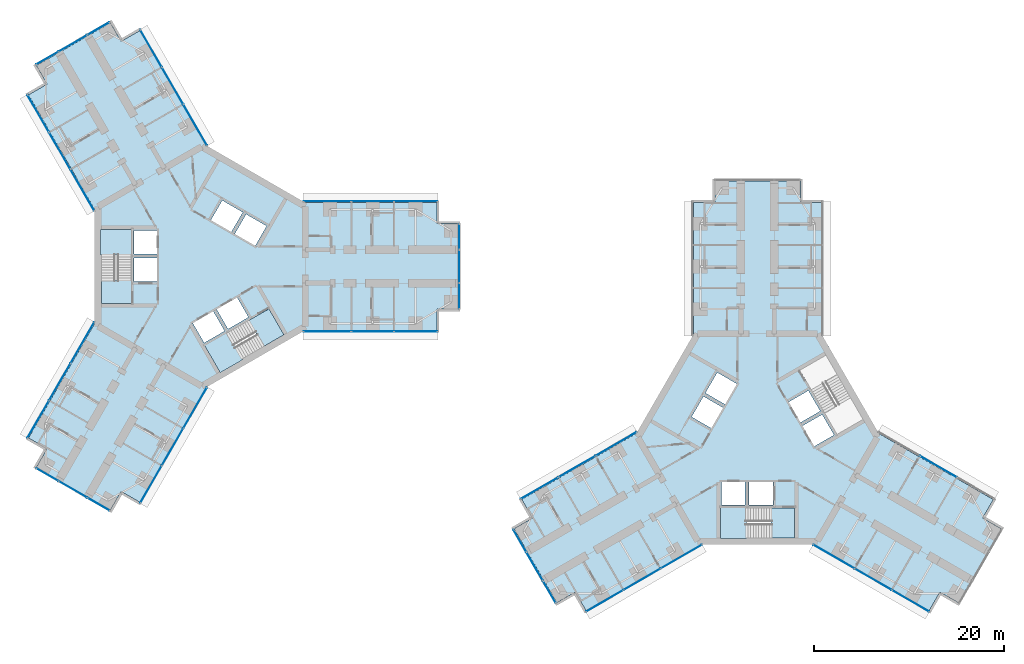
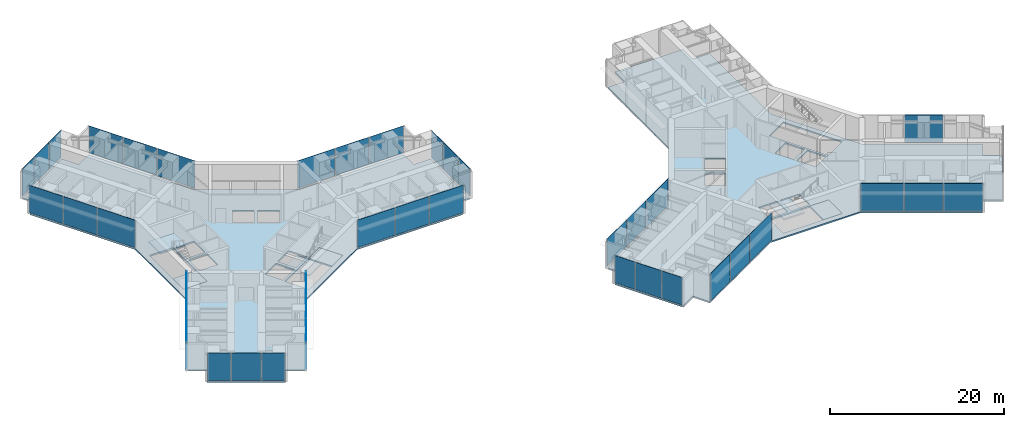
# One storey, part 14 of 24: 40 plates, 8 slabs, 17 elements without a shape of their own.
"""IFC4 building model written with IfcOpenShell, lengths in metres."""

from ifc_helpers import new_model, si_unit, direction, frame, origin, origin_2d, place, context, subcontext, project, spatial, polyline, rectangle, outline, extrude, material, layer, layer_set, type_object, element, aggregate, save


model = new_model("IFC4")

# Units and contexts
model_context = context("Model", 3, precision=1e-05, world=origin(), true_north=direction((0.0, 1.0)))
body_context = subcontext(model_context, "Body", "Model", "MODEL_VIEW")
ifc_project = project(units=[si_unit("LENGTHUNIT", "METRE"), si_unit("AREAUNIT", "SQUARE_METRE"), si_unit("VOLUMEUNIT", "CUBIC_METRE"), si_unit("PLANEANGLEUNIT", "RADIAN"), si_unit("MASSUNIT", "GRAM", prefix="KILO")], contexts=[model_context])

# Site, building, storey
site_placement = place(None, origin())
site = spatial("IfcSite", under=ifc_project, at=site_placement, CompositionType="ELEMENT")
building_placement = place(site_placement, origin())
building = spatial("IfcBuilding", under=site, at=building_placement, Name="Upepo Twin Towers", CompositionType="ELEMENT")
storey_placement = place(building_placement, frame((0.0, 0.0, 60.5)))
storey = spatial("IfcBuildingStorey", under=building, at=storey_placement, Name="L14", CompositionType="ELEMENT", Elevation=60.5)

# Curtain wall, plates
ifc_material_1 = material(Name="Aluminium and fritted glass", Category="aluminium")
curtain_wall_type = type_object("IfcCurtainWallType", Name="Tower curtain wall TW1, fritted glass", PredefinedType="NOTDEFINED", material=ifc_material_1)
curtain_wall_1_placement = place(storey_placement, origin())
curtain_wall_1 = element("IfcCurtainWall", 1, at=curtain_wall_1_placement, inside=storey, type_object=curtain_wall_type, Name="T1 L14 wing A flank L curtain wall", PredefinedType="NOTDEFINED")
ifc_material_2 = material(Name="Ceramic-fritted laminated glass", Category="glass")
ifc_layer_1 = layer(ifc_material_2, 0.031982421875)
ifc_layer_set_1 = layer_set([ifc_layer_1], Name="Fritted glass panel, 25 per cent dot frit, 32 mm double glazed")
plate_type_1 = type_object("IfcPlateType", Name="Fritted glass panel, 25 per cent dot frit, 32 mm double glazed", PredefinedType="CURTAIN_PANEL", material=ifc_layer_set_1)
plate_1_placement = place(storey_placement, frame((13.23486328125, 6.85009765625, 0.14990234375), z_axis=(0.0, 0.0, 1.0), x_axis=(1.0, 0.0, 0.0)))
plate_1 = element("IfcPlate", 2, at=plate_1_placement, type_object=plate_type_1, Name="T1 L14 wing A flank L curtain wall panel 1", PredefinedType="CURTAIN_PANEL", context=body_context, shape_type="SweptSolid", body=[
    extrude(rectangle(XDim=4.96533203125, YDim=0.031982421875, at=origin_2d()), origin(), (0.0, 0.0, 1.0), 3.85009765625),
])
plate_2_placement = place(storey_placement, frame((18.0, 6.85009765625, 0.14990234375), z_axis=(0.0, 0.0, 1.0), x_axis=(1.0, 0.0, 0.0)))
plate_2 = element("IfcPlate", 3, at=plate_2_placement, type_object=plate_type_1, Name="T1 L14 wing A flank L curtain wall panel 2", PredefinedType="CURTAIN_PANEL", context=body_context, shape_type="SweptSolid", body=[
    extrude(rectangle(XDim=4.43505859375, YDim=0.031982421875, at=origin_2d()), origin(), (0.0, 0.0, 1.0), 3.85009765625),
])
plate_3_placement = place(storey_placement, frame((22.53369140625, 6.85009765625, 0.14990234375), z_axis=(0.0, 0.0, 1.0), x_axis=(1.0, 0.0, 0.0)))
plate_3 = element("IfcPlate", 4, at=plate_3_placement, type_object=plate_type_1, Name="T1 L14 wing A flank L curtain wall panel 3", PredefinedType="CURTAIN_PANEL", context=body_context, shape_type="SweptSolid", body=[
    extrude(rectangle(XDim=4.50244140625, YDim=0.031982421875, at=origin_2d()), origin(), (0.0, 0.0, 1.0), 3.85009765625),
])
aggregate(curtain_wall_1, [plate_1, plate_2, plate_3])

curtain_wall_2_placement = place(storey_placement, origin())
curtain_wall_2 = element("IfcCurtainWall", 5, at=curtain_wall_2_placement, inside=storey, type_object=curtain_wall_type, Name="T1 L14 wing A flank R curtain wall", PredefinedType="NOTDEFINED")
plate_4_placement = place(storey_placement, frame((22.53369140625, -6.85009765625, 0.14990234375), z_axis=(0.0, 0.0, 1.0), x_axis=(-1.0, 0.0, 0.0)))
plate_4 = element("IfcPlate", 6, at=plate_4_placement, type_object=plate_type_1, Name="T1 L14 wing A flank R curtain wall panel 1", PredefinedType="CURTAIN_PANEL", context=body_context, shape_type="SweptSolid", body=[
    extrude(rectangle(XDim=4.50244140625, YDim=0.031982421875, at=origin_2d()), origin(), (0.0, 0.0, 1.0), 3.85009765625),
])
plate_5_placement = place(storey_placement, frame((18.0, -6.85009765625, 0.14990234375), z_axis=(0.0, 0.0, 1.0), x_axis=(-1.0, 0.0, 0.0)))
plate_5 = element("IfcPlate", 7, at=plate_5_placement, type_object=plate_type_1, Name="T1 L14 wing A flank R curtain wall panel 2", PredefinedType="CURTAIN_PANEL", context=body_context, shape_type="SweptSolid", body=[
    extrude(rectangle(XDim=4.43505859375, YDim=0.031982421875, at=origin_2d()), origin(), (0.0, 0.0, 1.0), 3.85009765625),
])
plate_6_placement = place(storey_placement, frame((13.23486328125, -6.85009765625, 0.14990234375), z_axis=(0.0, 0.0, 1.0), x_axis=(-1.0, 0.0, 0.0)))
plate_6 = element("IfcPlate", 8, at=plate_6_placement, type_object=plate_type_1, Name="T1 L14 wing A flank R curtain wall panel 3", PredefinedType="CURTAIN_PANEL", context=body_context, shape_type="SweptSolid", body=[
    extrude(rectangle(XDim=4.96533203125, YDim=0.031982421875, at=origin_2d()), origin(), (0.0, 0.0, 1.0), 3.85009765625),
])
aggregate(curtain_wall_2, [plate_4, plate_5, plate_6])

# Curtain wall, plate
curtain_wall_3_placement = place(storey_placement, origin())
curtain_wall_3 = element("IfcCurtainWall", 9, at=curtain_wall_3_placement, inside=storey, type_object=curtain_wall_type, Name="T1 L14 wing A nose curtain wall", PredefinedType="NOTDEFINED")
plate_7_placement = place(storey_placement, frame((27.10009765625, 0.0, 0.14990234375), z_axis=(0.0, 0.0, 1.0), x_axis=(0.0, 1.0, 0.0)))
plate_7 = element("IfcPlate", 10, at=plate_7_placement, type_object=plate_type_1, Name="T1 L14 wing A nose curtain wall panel 2", PredefinedType="CURTAIN_PANEL", context=body_context, shape_type="SweptSolid", body=[
    extrude(rectangle(XDim=3.43505859375, YDim=0.031982421875, at=origin_2d()), origin(), (0.0, 0.0, 1.0), 3.85009765625),
])

# Curtain wall, plates
curtain_wall_4_placement = place(storey_placement, origin())
curtain_wall_4 = element("IfcCurtainWall", 11, at=curtain_wall_4_placement, inside=storey, type_object=curtain_wall_type, Name="T1 L14 wing B flank L curtain wall", PredefinedType="NOTDEFINED")
plate_8_placement = place(storey_placement, frame((-12.549560546875, 8.03662109375, 0.14990234375), z_axis=(0.0, 0.0, 1.0), x_axis=(-0.500000024426, 0.866025389682, 0.0)))
plate_8 = element("IfcPlate", 12, at=plate_8_placement, type_object=plate_type_1, Name="T1 L14 wing B flank L curtain wall panel 1", PredefinedType="CURTAIN_PANEL", context=body_context, shape_type="SweptSolid", body=[
    extrude(rectangle(XDim=4.96533203125, YDim=0.031982421875, at=origin_2d()), origin(), (0.0, 0.0, 1.0), 3.85009765625),
])
plate_9_placement = place(storey_placement, frame((-14.932373046875, 12.16357421875, 0.14990234375), z_axis=(0.0, 0.0, 1.0), x_axis=(-0.500000024426, 0.866025389682, 0.0)))
plate_9 = element("IfcPlate", 13, at=plate_9_placement, type_object=plate_type_1, Name="T1 L14 wing B flank L curtain wall panel 2", PredefinedType="CURTAIN_PANEL", context=body_context, shape_type="SweptSolid", body=[
    extrude(rectangle(XDim=4.43505859375, YDim=0.031982421875, at=origin_2d()), origin(), (0.0, 0.0, 1.0), 3.85009765625),
])
plate_10_placement = place(storey_placement, frame((-17.19921875, 16.08984375, 0.14990234375), z_axis=(0.0, 0.0, 1.0), x_axis=(-0.500000024426, 0.866025389682, 0.0)))
plate_10 = element("IfcPlate", 14, at=plate_10_placement, type_object=plate_type_1, Name="T1 L14 wing B flank L curtain wall panel 3", PredefinedType="CURTAIN_PANEL", context=body_context, shape_type="SweptSolid", body=[
    extrude(rectangle(XDim=4.50244140625, YDim=0.031982421875, at=origin_2d()), origin(), (0.0, 0.0, 1.0), 3.85009765625),
])
aggregate(curtain_wall_4, [plate_8, plate_9, plate_10])

curtain_wall_5_placement = place(storey_placement, origin())
curtain_wall_5 = element("IfcCurtainWall", 15, at=curtain_wall_5_placement, inside=storey, type_object=curtain_wall_type, Name="T1 L14 wing B flank R curtain wall", PredefinedType="NOTDEFINED")
plate_11_placement = place(storey_placement, frame((-5.334716796875, 22.939697265625, 0.14990234375), z_axis=(0.0, 0.0, 1.0), x_axis=(0.500000024426, -0.866025389682, 0.0)))
plate_11 = element("IfcPlate", 16, at=plate_11_placement, type_object=plate_type_1, Name="T1 L14 wing B flank R curtain wall panel 1", PredefinedType="CURTAIN_PANEL", context=body_context, shape_type="SweptSolid", body=[
    extrude(rectangle(XDim=4.50244140625, YDim=0.031982421875, at=origin_2d()), origin(), (0.0, 0.0, 1.0), 3.85009765625),
])
plate_12_placement = place(storey_placement, frame((-3.067626953125, 19.013427734375, 0.14990234375), z_axis=(0.0, 0.0, 1.0), x_axis=(0.500000024426, -0.866025389682, 0.0)))
plate_12 = element("IfcPlate", 17, at=plate_12_placement, type_object=plate_type_1, Name="T1 L14 wing B flank R curtain wall panel 2", PredefinedType="CURTAIN_PANEL", context=body_context, shape_type="SweptSolid", body=[
    extrude(rectangle(XDim=4.43505859375, YDim=0.031982421875, at=origin_2d()), origin(), (0.0, 0.0, 1.0), 3.85009765625),
])
plate_13_placement = place(storey_placement, frame((-0.68505859375, 14.88671875, 0.14990234375), z_axis=(0.0, 0.0, 1.0), x_axis=(0.500000024426, -0.866025389682, 0.0)))
plate_13 = element("IfcPlate", 18, at=plate_13_placement, type_object=plate_type_1, Name="T1 L14 wing B flank R curtain wall panel 3", PredefinedType="CURTAIN_PANEL", context=body_context, shape_type="SweptSolid", body=[
    extrude(rectangle(XDim=4.96533203125, YDim=0.031982421875, at=origin_2d()), origin(), (0.0, 0.0, 1.0), 3.85009765625),
])
aggregate(curtain_wall_5, [plate_11, plate_12, plate_13])

# Curtain wall, plate
curtain_wall_6_placement = place(storey_placement, origin())
curtain_wall_6 = element("IfcCurtainWall", 19, at=curtain_wall_6_placement, inside=storey, type_object=curtain_wall_type, Name="T1 L14 wing B nose curtain wall", PredefinedType="NOTDEFINED")
plate_14_placement = place(storey_placement, frame((-13.550048828125, 23.46923828125, 0.14990234375), z_axis=(0.0, 0.0, 1.0), x_axis=(-0.866025386174, -0.500000030502, 0.0)))
plate_14 = element("IfcPlate", 20, at=plate_14_placement, type_object=plate_type_1, Name="T1 L14 wing B nose curtain wall panel 2", PredefinedType="CURTAIN_PANEL", context=body_context, shape_type="SweptSolid", body=[
    extrude(rectangle(XDim=3.43505859375, YDim=0.031982421875, at=origin_2d()), origin(), (0.0, 0.0, 1.0), 3.85009765625),
])

# Curtain wall, plates
curtain_wall_7_placement = place(storey_placement, origin())
curtain_wall_7 = element("IfcCurtainWall", 21, at=curtain_wall_7_placement, inside=storey, type_object=curtain_wall_type, Name="T1 L14 wing C flank L curtain wall", PredefinedType="NOTDEFINED")
plate_15_placement = place(storey_placement, frame((-0.68505859375, -14.88671875, 0.14990234375), z_axis=(0.0, 0.0, 1.0), x_axis=(-0.500000024426, -0.866025389682, 0.0)))
plate_15 = element("IfcPlate", 22, at=plate_15_placement, type_object=plate_type_1, Name="T1 L14 wing C flank L curtain wall panel 1", PredefinedType="CURTAIN_PANEL", context=body_context, shape_type="SweptSolid", body=[
    extrude(rectangle(XDim=4.96533203125, YDim=0.031982421875, at=origin_2d()), origin(), (0.0, 0.0, 1.0), 3.85009765625),
])
plate_16_placement = place(storey_placement, frame((-3.067626953125, -19.013427734375, 0.14990234375), z_axis=(0.0, 0.0, 1.0), x_axis=(-0.500000024426, -0.866025389682, 0.0)))
plate_16 = element("IfcPlate", 23, at=plate_16_placement, type_object=plate_type_1, Name="T1 L14 wing C flank L curtain wall panel 2", PredefinedType="CURTAIN_PANEL", context=body_context, shape_type="SweptSolid", body=[
    extrude(rectangle(XDim=4.43505859375, YDim=0.031982421875, at=origin_2d()), origin(), (0.0, 0.0, 1.0), 3.85009765625),
])
plate_17_placement = place(storey_placement, frame((-5.334716796875, -22.939697265625, 0.14990234375), z_axis=(0.0, 0.0, 1.0), x_axis=(-0.500000024426, -0.866025389682, 0.0)))
plate_17 = element("IfcPlate", 24, at=plate_17_placement, type_object=plate_type_1, Name="T1 L14 wing C flank L curtain wall panel 3", PredefinedType="CURTAIN_PANEL", context=body_context, shape_type="SweptSolid", body=[
    extrude(rectangle(XDim=4.50244140625, YDim=0.031982421875, at=origin_2d()), origin(), (0.0, 0.0, 1.0), 3.85009765625),
])
aggregate(curtain_wall_7, [plate_15, plate_16, plate_17])

curtain_wall_8_placement = place(storey_placement, origin())
curtain_wall_8 = element("IfcCurtainWall", 25, at=curtain_wall_8_placement, inside=storey, type_object=curtain_wall_type, Name="T1 L14 wing C flank R curtain wall", PredefinedType="NOTDEFINED")
plate_18_placement = place(storey_placement, frame((-17.19921875, -16.08984375, 0.14990234375), z_axis=(0.0, 0.0, 1.0), x_axis=(0.500000024426, 0.866025389682, 0.0)))
plate_18 = element("IfcPlate", 26, at=plate_18_placement, type_object=plate_type_1, Name="T1 L14 wing C flank R curtain wall panel 1", PredefinedType="CURTAIN_PANEL", context=body_context, shape_type="SweptSolid", body=[
    extrude(rectangle(XDim=4.50244140625, YDim=0.031982421875, at=origin_2d()), origin(), (0.0, 0.0, 1.0), 3.85009765625),
])
plate_19_placement = place(storey_placement, frame((-14.932373046875, -12.16357421875, 0.14990234375), z_axis=(0.0, 0.0, 1.0), x_axis=(0.500000024426, 0.866025389682, 0.0)))
plate_19 = element("IfcPlate", 27, at=plate_19_placement, type_object=plate_type_1, Name="T1 L14 wing C flank R curtain wall panel 2", PredefinedType="CURTAIN_PANEL", context=body_context, shape_type="SweptSolid", body=[
    extrude(rectangle(XDim=4.43505859375, YDim=0.031982421875, at=origin_2d()), origin(), (0.0, 0.0, 1.0), 3.85009765625),
])
plate_20_placement = place(storey_placement, frame((-12.549560546875, -8.03662109375, 0.14990234375), z_axis=(0.0, 0.0, 1.0), x_axis=(0.500000024426, 0.866025389682, 0.0)))
plate_20 = element("IfcPlate", 28, at=plate_20_placement, type_object=plate_type_1, Name="T1 L14 wing C flank R curtain wall panel 3", PredefinedType="CURTAIN_PANEL", context=body_context, shape_type="SweptSolid", body=[
    extrude(rectangle(XDim=4.96533203125, YDim=0.031982421875, at=origin_2d()), origin(), (0.0, 0.0, 1.0), 3.85009765625),
])
aggregate(curtain_wall_8, [plate_18, plate_19, plate_20])

# Curtain wall, plate
curtain_wall_9_placement = place(storey_placement, origin())
curtain_wall_9 = element("IfcCurtainWall", 29, at=curtain_wall_9_placement, inside=storey, type_object=curtain_wall_type, Name="T1 L14 wing C nose curtain wall", PredefinedType="NOTDEFINED")
plate_21_placement = place(storey_placement, frame((-13.550048828125, -23.46923828125, 0.14990234375), z_axis=(0.0, 0.0, 1.0), x_axis=(0.866025386174, -0.500000030502, 0.0)))
plate_21 = element("IfcPlate", 30, at=plate_21_placement, type_object=plate_type_1, Name="T1 L14 wing C nose curtain wall panel 2", PredefinedType="CURTAIN_PANEL", context=body_context, shape_type="SweptSolid", body=[
    extrude(rectangle(XDim=3.43505859375, YDim=0.031982421875, at=origin_2d()), origin(), (0.0, 0.0, 1.0), 3.85009765625),
])

# Curtain wall, plates
curtain_wall_10_placement = place(storey_placement, origin())
curtain_wall_10 = element("IfcCurtainWall", 31, at=curtain_wall_10_placement, inside=storey, type_object=curtain_wall_type, Name="T2 L14 wing B flank L curtain wall", PredefinedType="NOTDEFINED")
plate_22_placement = place(storey_placement, frame((50.46337890625, -30.549560546875, 0.14990234375), z_axis=(0.0, 0.0, 1.0), x_axis=(-0.866025389682, -0.500000024426, 0.0)))
plate_22 = element("IfcPlate", 32, at=plate_22_placement, type_object=plate_type_1, Name="T2 L14 wing B flank L curtain wall panel 1", PredefinedType="CURTAIN_PANEL", context=body_context, shape_type="SweptSolid", body=[
    extrude(rectangle(XDim=4.96533203125, YDim=0.031982421875, at=origin_2d()), origin(), (0.0, 0.0, 1.0), 3.85009765625),
])
plate_23_placement = place(storey_placement, frame((46.33642578125, -32.932373046875, 0.14990234375), z_axis=(0.0, 0.0, 1.0), x_axis=(-0.866025389682, -0.500000024426, 0.0)))
plate_23 = element("IfcPlate", 33, at=plate_23_placement, type_object=plate_type_1, Name="T2 L14 wing B flank L curtain wall panel 2", PredefinedType="CURTAIN_PANEL", context=body_context, shape_type="SweptSolid", body=[
    extrude(rectangle(XDim=4.43505859375, YDim=0.031982421875, at=origin_2d()), origin(), (0.0, 0.0, 1.0), 3.85009765625),
])
plate_24_placement = place(storey_placement, frame((42.41015625, -35.19921875, 0.14990234375), z_axis=(0.0, 0.0, 1.0), x_axis=(-0.866025389682, -0.500000024426, 0.0)))
plate_24 = element("IfcPlate", 34, at=plate_24_placement, type_object=plate_type_1, Name="T2 L14 wing B flank L curtain wall panel 3", PredefinedType="CURTAIN_PANEL", context=body_context, shape_type="SweptSolid", body=[
    extrude(rectangle(XDim=4.50244140625, YDim=0.031982421875, at=origin_2d()), origin(), (0.0, 0.0, 1.0), 3.85009765625),
])
aggregate(curtain_wall_10, [plate_22, plate_23, plate_24])

curtain_wall_11_placement = place(storey_placement, origin())
curtain_wall_11 = element("IfcCurtainWall", 35, at=curtain_wall_11_placement, inside=storey, type_object=curtain_wall_type, Name="T2 L14 wing B flank R curtain wall", PredefinedType="NOTDEFINED")
plate_25_placement = place(storey_placement, frame((35.560302734375, -23.334716796875, 0.14990234375), z_axis=(0.0, 0.0, 1.0), x_axis=(0.866025389682, 0.500000024426, 0.0)))
plate_25 = element("IfcPlate", 36, at=plate_25_placement, type_object=plate_type_1, Name="T2 L14 wing B flank R curtain wall panel 1", PredefinedType="CURTAIN_PANEL", context=body_context, shape_type="SweptSolid", body=[
    extrude(rectangle(XDim=4.50244140625, YDim=0.031982421875, at=origin_2d()), origin(), (0.0, 0.0, 1.0), 3.85009765625),
])
plate_26_placement = place(storey_placement, frame((39.486572265625, -21.067626953125, 0.14990234375), z_axis=(0.0, 0.0, 1.0), x_axis=(0.866025389682, 0.500000024426, 0.0)))
plate_26 = element("IfcPlate", 37, at=plate_26_placement, type_object=plate_type_1, Name="T2 L14 wing B flank R curtain wall panel 2", PredefinedType="CURTAIN_PANEL", context=body_context, shape_type="SweptSolid", body=[
    extrude(rectangle(XDim=4.43505859375, YDim=0.031982421875, at=origin_2d()), origin(), (0.0, 0.0, 1.0), 3.85009765625),
])
plate_27_placement = place(storey_placement, frame((43.61328125, -18.68505859375, 0.14990234375), z_axis=(0.0, 0.0, 1.0), x_axis=(0.866025389682, 0.500000024426, 0.0)))
plate_27 = element("IfcPlate", 38, at=plate_27_placement, type_object=plate_type_1, Name="T2 L14 wing B flank R curtain wall panel 3", PredefinedType="CURTAIN_PANEL", context=body_context, shape_type="SweptSolid", body=[
    extrude(rectangle(XDim=4.96533203125, YDim=0.031982421875, at=origin_2d()), origin(), (0.0, 0.0, 1.0), 3.85009765625),
])
aggregate(curtain_wall_11, [plate_25, plate_26, plate_27])

# Curtain wall, plate
curtain_wall_12_placement = place(storey_placement, origin())
curtain_wall_12 = element("IfcCurtainWall", 39, at=curtain_wall_12_placement, inside=storey, type_object=curtain_wall_type, Name="T2 L14 wing B nose curtain wall", PredefinedType="NOTDEFINED")
plate_28_placement = place(storey_placement, frame((35.03076171875, -31.550048828125, 0.14990234375), z_axis=(0.0, 0.0, 1.0), x_axis=(0.500000030502, -0.866025386174, 0.0)))
plate_28 = element("IfcPlate", 40, at=plate_28_placement, type_object=plate_type_1, Name="T2 L14 wing B nose curtain wall panel 2", PredefinedType="CURTAIN_PANEL", context=body_context, shape_type="SweptSolid", body=[
    extrude(rectangle(XDim=3.43505859375, YDim=0.031982421875, at=origin_2d()), origin(), (0.0, 0.0, 1.0), 3.85009765625),
])

curtain_wall_13_placement = place(storey_placement, origin())
curtain_wall_13 = element("IfcCurtainWall", 41, at=curtain_wall_13_placement, inside=storey, type_object=curtain_wall_type, Name="T2 L14 wing C flank L curtain wall", PredefinedType="NOTDEFINED")
plate_29_placement = place(storey_placement, frame((77.513427734375, -21.067626953125, 0.14990234375), z_axis=(0.0, 0.0, 1.0), x_axis=(0.866025389682, -0.500000024426, 0.0)))
plate_29 = element("IfcPlate", 42, at=plate_29_placement, type_object=plate_type_1, Name="T2 L14 wing C flank L curtain wall panel 2", PredefinedType="CURTAIN_PANEL", context=body_context, shape_type="SweptSolid", body=[
    extrude(rectangle(XDim=4.43505859375, YDim=0.031982421875, at=origin_2d()), origin(), (0.0, 0.0, 1.0), 3.85009765625),
])
aggregate(curtain_wall_13, [plate_29])

# Curtain wall, plates
curtain_wall_14_placement = place(storey_placement, origin())
curtain_wall_14 = element("IfcCurtainWall", 43, at=curtain_wall_14_placement, inside=storey, type_object=curtain_wall_type, Name="T2 L14 wing C flank R curtain wall", PredefinedType="NOTDEFINED")
plate_30_placement = place(storey_placement, frame((74.58984375, -35.19921875, 0.14990234375), z_axis=(0.0, 0.0, 1.0), x_axis=(-0.866025389682, 0.500000024426, 0.0)))
plate_30 = element("IfcPlate", 44, at=plate_30_placement, type_object=plate_type_1, Name="T2 L14 wing C flank R curtain wall panel 1", PredefinedType="CURTAIN_PANEL", context=body_context, shape_type="SweptSolid", body=[
    extrude(rectangle(XDim=4.50244140625, YDim=0.031982421875, at=origin_2d()), origin(), (0.0, 0.0, 1.0), 3.85009765625),
])
plate_31_placement = place(storey_placement, frame((70.66357421875, -32.932373046875, 0.14990234375), z_axis=(0.0, 0.0, 1.0), x_axis=(-0.866025389682, 0.500000024426, 0.0)))
plate_31 = element("IfcPlate", 45, at=plate_31_placement, type_object=plate_type_1, Name="T2 L14 wing C flank R curtain wall panel 2", PredefinedType="CURTAIN_PANEL", context=body_context, shape_type="SweptSolid", body=[
    extrude(rectangle(XDim=4.43505859375, YDim=0.031982421875, at=origin_2d()), origin(), (0.0, 0.0, 1.0), 3.85009765625),
])
plate_32_placement = place(storey_placement, frame((66.53662109375, -30.549560546875, 0.14990234375), z_axis=(0.0, 0.0, 1.0), x_axis=(-0.866025389682, 0.500000024426, 0.0)))
plate_32 = element("IfcPlate", 46, at=plate_32_placement, type_object=plate_type_1, Name="T2 L14 wing C flank R curtain wall panel 3", PredefinedType="CURTAIN_PANEL", context=body_context, shape_type="SweptSolid", body=[
    extrude(rectangle(XDim=4.96533203125, YDim=0.031982421875, at=origin_2d()), origin(), (0.0, 0.0, 1.0), 3.85009765625),
])
aggregate(curtain_wall_14, [plate_30, plate_31, plate_32])

# Plate
ifc_material_3 = material(Name="Clear laminated glass in opening sash", Category="glass")
ifc_layer_2 = layer(ifc_material_3, 0.031982421875)
ifc_layer_set_2 = layer_set([ifc_layer_2], Name="Operable glass panel, 32 mm double glazed")
plate_type_2 = type_object("IfcPlateType", Name="Operable glass panel, 32 mm double glazed", PredefinedType="CURTAIN_PANEL", material=ifc_layer_set_2)
plate_33_placement = place(storey_placement, frame((27.10009765625, -3.108642578125, 0.14990234375), z_axis=(0.0, 0.0, 1.0), x_axis=(0.0, 1.0, 0.0)))
plate_33 = element("IfcPlate", 47, at=plate_33_placement, type_object=plate_type_2, Name="T1 L14 wing A nose curtain wall panel 1", PredefinedType="CURTAIN_PANEL", context=body_context, shape_type="SweptSolid", body=[
    extrude(rectangle(XDim=2.652587890625, YDim=0.031982421875, at=origin_2d()), origin(), (0.0, 0.0, 1.0), 3.85009765625),
])

plate_34_placement = place(storey_placement, frame((27.10009765625, 3.108642578125, 0.14990234375), z_axis=(0.0, 0.0, 1.0), x_axis=(0.0, 1.0, 0.0)))
plate_34 = element("IfcPlate", 48, at=plate_34_placement, type_object=plate_type_2, Name="T1 L14 wing A nose curtain wall panel 3", PredefinedType="CURTAIN_PANEL", context=body_context, shape_type="SweptSolid", body=[
    extrude(rectangle(XDim=2.652587890625, YDim=0.031982421875, at=origin_2d()), origin(), (0.0, 0.0, 1.0), 3.85009765625),
])

aggregate(curtain_wall_3, [plate_33, plate_7, plate_34])

plate_35_placement = place(storey_placement, frame((-10.857666015625, 25.023681640625, 0.14990234375), z_axis=(0.0, 0.0, 1.0), x_axis=(-0.866025386174, -0.500000030502, 0.0)))
plate_35 = element("IfcPlate", 49, at=plate_35_placement, type_object=plate_type_2, Name="T1 L14 wing B nose curtain wall panel 1", PredefinedType="CURTAIN_PANEL", context=body_context, shape_type="SweptSolid", body=[
    extrude(rectangle(XDim=2.652587890625, YDim=0.031982421875, at=origin_2d()), origin(), (0.0, 0.0, 1.0), 3.85009765625),
])

plate_36_placement = place(storey_placement, frame((-16.2421875, 21.914794921875, 0.14990234375), z_axis=(0.0, 0.0, 1.0), x_axis=(-0.866025386174, -0.500000030502, 0.0)))
plate_36 = element("IfcPlate", 50, at=plate_36_placement, type_object=plate_type_2, Name="T1 L14 wing B nose curtain wall panel 3", PredefinedType="CURTAIN_PANEL", context=body_context, shape_type="SweptSolid", body=[
    extrude(rectangle(XDim=2.652587890625, YDim=0.031982421875, at=origin_2d()), origin(), (0.0, 0.0, 1.0), 3.85009765625),
])

aggregate(curtain_wall_6, [plate_35, plate_14, plate_36])

plate_37_placement = place(storey_placement, frame((-16.2421875, -21.914794921875, 0.14990234375), z_axis=(0.0, 0.0, 1.0), x_axis=(0.866025386174, -0.500000030502, 0.0)))
plate_37 = element("IfcPlate", 51, at=plate_37_placement, type_object=plate_type_2, Name="T1 L14 wing C nose curtain wall panel 1", PredefinedType="CURTAIN_PANEL", context=body_context, shape_type="SweptSolid", body=[
    extrude(rectangle(XDim=2.652587890625, YDim=0.031982421875, at=origin_2d()), origin(), (0.0, 0.0, 1.0), 3.85009765625),
])

plate_38_placement = place(storey_placement, frame((-10.857666015625, -25.023681640625, 0.14990234375), z_axis=(0.0, 0.0, 1.0), x_axis=(0.866025386174, -0.500000030502, 0.0)))
plate_38 = element("IfcPlate", 52, at=plate_38_placement, type_object=plate_type_2, Name="T1 L14 wing C nose curtain wall panel 3", PredefinedType="CURTAIN_PANEL", context=body_context, shape_type="SweptSolid", body=[
    extrude(rectangle(XDim=2.652587890625, YDim=0.031982421875, at=origin_2d()), origin(), (0.0, 0.0, 1.0), 3.85009765625),
])

aggregate(curtain_wall_9, [plate_37, plate_21, plate_38])

plate_39_placement = place(storey_placement, frame((33.476318359375, -28.857666015625, 0.14990234375), z_axis=(0.0, 0.0, 1.0), x_axis=(0.500000030502, -0.866025386174, 0.0)))
plate_39 = element("IfcPlate", 53, at=plate_39_placement, type_object=plate_type_2, Name="T2 L14 wing B nose curtain wall panel 1", PredefinedType="CURTAIN_PANEL", context=body_context, shape_type="SweptSolid", body=[
    extrude(rectangle(XDim=2.652587890625, YDim=0.031982421875, at=origin_2d()), origin(), (0.0, 0.0, 1.0), 3.85009765625),
])

plate_40_placement = place(storey_placement, frame((36.585205078125, -34.2421875, 0.14990234375), z_axis=(0.0, 0.0, 1.0), x_axis=(0.500000030502, -0.866025386174, 0.0)))
plate_40 = element("IfcPlate", 54, at=plate_40_placement, type_object=plate_type_2, Name="T2 L14 wing B nose curtain wall panel 3", PredefinedType="CURTAIN_PANEL", context=body_context, shape_type="SweptSolid", body=[
    extrude(rectangle(XDim=2.652587890625, YDim=0.031982421875, at=origin_2d()), origin(), (0.0, 0.0, 1.0), 3.85009765625),
])

aggregate(curtain_wall_12, [plate_39, plate_28, plate_40])

# Stair, slabs
ifc_material_4 = material(Name="Concrete C40/50", Category="concrete")
stair_type = type_object("IfcStairType", Name="Core stair, two flights", PredefinedType="HALF_TURN_STAIR", material=ifc_material_4)
stair_1_placement = place(storey_placement, origin())
stair_1 = element("IfcStair", 55, at=stair_1_placement, inside=storey, type_object=stair_type, Name="T1 stair S1 L14", PredefinedType="HALF_TURN_STAIR")
ifc_material_5 = material(Name="Concrete C40/50", Category="concrete")
ifc_layer_3 = layer(ifc_material_5, 0.199951171875)
ifc_layer_set_3 = layer_set([ifc_layer_3], Name="Concrete C40/50")
slab_type_1 = type_object("IfcSlabType", Name="Stair landing 200 RC", PredefinedType="LANDING", material=ifc_layer_set_3)
slab_1_placement = place(storey_placement, frame((0.0, 0.0, -0.199951171875)))
slab_1 = element("IfcSlab", 56, at=slab_1_placement, type_object=slab_type_1, Name="Stair S1 landing 1", PredefinedType="LANDING", context=body_context, shape_type="SweptSolid", body=[
    extrude(outline(polyline([(-7.39990234375, -1.419921875), (-10.558349609375, -1.419921875), (-10.558349609375, -3.89990234375), (-7.39990234375, -3.89990234375), (-7.39990234375, -1.419921875)])), origin(), (0.0, 0.0, 1.0), 0.199951171875),
])
slab_2_placement = place(storey_placement, frame((0.0, 0.0, 1.800048828125)))
slab_2 = element("IfcSlab", 57, at=slab_2_placement, type_object=slab_type_1, Name="Stair S1 landing 2", PredefinedType="LANDING", context=body_context, shape_type="SweptSolid", body=[
    extrude(outline(polyline([(-7.300048828125, 3.89990234375), (-10.658447265625, 3.89990234375), (-10.658447265625, 1.179931640625), (-7.300048828125, 1.179931640625), (-7.300048828125, 3.89990234375)])), origin(), (0.0, 0.0, 1.0), 0.199951171875),
])
aggregate(stair_1, [slab_1, slab_2])

stair_2_placement = place(storey_placement, origin())
stair_2 = element("IfcStair", 58, at=stair_2_placement, inside=storey, type_object=stair_type, Name="T1 stair S2 L14", PredefinedType="HALF_TURN_STAIR")
slab_3_placement = place(storey_placement, frame((0.0, 0.0, -0.199951171875)))
slab_3 = element("IfcSlab", 59, at=slab_3_placement, type_object=slab_type_1, Name="Stair S2 landing 1", PredefinedType="LANDING", context=body_context, shape_type="SweptSolid", body=[
    extrude(outline(polyline([(4.9296875, -5.698486328125), (6.509033203125, -8.433837890625), (8.65673828125, -7.19384765625), (7.077392578125, -4.45849609375), (4.9296875, -5.698486328125)])), origin(), (0.0, 0.0, 1.0), 0.199951171875),
])
slab_4_placement = place(storey_placement, frame((0.0, 0.0, 1.800048828125)))
slab_4 = element("IfcSlab", 60, at=slab_4_placement, type_object=slab_type_1, Name="Stair S2 landing 2", PredefinedType="LANDING", context=body_context, shape_type="SweptSolid", body=[
    extrude(outline(polyline([(0.2724609375, -8.27197265625), (1.95166015625, -11.180419921875), (4.307373046875, -9.8203125), (2.628173828125, -6.911865234375), (0.2724609375, -8.27197265625)])), origin(), (0.0, 0.0, 1.0), 0.199951171875),
])
aggregate(stair_2, [slab_3, slab_4])

stair_3_placement = place(storey_placement, origin())
stair_3 = element("IfcStair", 61, at=stair_3_placement, inside=storey, type_object=stair_type, Name="T2 stair S1 L14", PredefinedType="HALF_TURN_STAIR")
slab_5_placement = place(storey_placement, frame((0.0, 0.0, -0.199951171875)))
slab_5 = element("IfcSlab", 62, at=slab_5_placement, type_object=slab_type_1, Name="Stair S1 landing 1", PredefinedType="LANDING", context=body_context, shape_type="SweptSolid", body=[
    extrude(outline(polyline([(59.919921875, -25.39990234375), (59.919921875, -28.558349609375), (62.39990234375, -28.558349609375), (62.39990234375, -25.39990234375), (59.919921875, -25.39990234375)])), origin(), (0.0, 0.0, 1.0), 0.199951171875),
])
slab_6_placement = place(storey_placement, frame((0.0, 0.0, 1.800048828125)))
slab_6 = element("IfcSlab", 63, at=slab_6_placement, type_object=slab_type_1, Name="Stair S1 landing 2", PredefinedType="LANDING", context=body_context, shape_type="SweptSolid", body=[
    extrude(outline(polyline([(54.60009765625, -25.300048828125), (54.60009765625, -28.658447265625), (57.320068359375, -28.658447265625), (57.320068359375, -25.300048828125), (54.60009765625, -25.300048828125)])), origin(), (0.0, 0.0, 1.0), 0.199951171875),
])
aggregate(stair_3, [slab_5, slab_6])

# Slabs
ifc_material_6 = material(Name="Concrete C40/50", Category="concrete")
ifc_layer_4 = layer(ifc_material_6, 0.199951171875)
ifc_layer_set_4 = layer_set([ifc_layer_4], Name="Concrete C40/50")
slab_type_2 = type_object("IfcSlabType", Name="Tower floor slab 200 RC", PredefinedType="FLOOR", material=ifc_layer_set_4)
slab_7_placement = place(storey_placement, frame((0.0, 0.0, -0.199951171875)))
element("IfcSlab", 64, at=slab_7_placement, inside=storey, type_object=slab_type_2, Name="T1 L14 floor slab", PredefinedType="FLOOR", context=body_context, shape_type="SweptSolid", body=[
    extrude(outline(polyline([(-8.477783203125, -23.68408203125), (-9.602783203125, -25.632568359375), (-17.397216796875, -21.132568359375), (-16.272216796875, -19.18408203125), (-18.220703125, -18.05908203125), (-11.25830078125, -6.0), (-11.25830078125, 6.0), (-18.220703125, 18.05908203125), (-16.272216796875, 19.18408203125), (-17.397216796875, 21.132568359375), (-9.602783203125, 25.632568359375), (-8.477783203125, 23.68408203125), (-6.529296875, 24.80908203125), (0.43310546875, 12.75), (10.825439453125, 6.75), (24.75, 6.75), (24.75, 4.5), (27.0, 4.5), (27.0, -4.5), (24.75, -4.5), (24.75, -6.75), (10.825439453125, -6.75), (0.43310546875, -12.75), (-6.529296875, -24.80908203125), (-8.477783203125, -23.68408203125)]), holes=[polyline([(5.640869140625, 2.17041015625), (6.8408203125, 4.248779296875), (4.67578125, 5.498779296875), (3.475830078125, 3.42041015625), (5.640869140625, 2.17041015625)]), polyline([(3.12939453125, 3.620361328125), (4.329345703125, 5.69873046875), (2.164306640625, 6.94873046875), (0.96435546875, 4.870361328125), (3.12939453125, 3.620361328125)]), polyline([(-4.699951171875, 3.800048828125), (-7.10009765625, 3.800048828125), (-7.10009765625, 1.300048828125), (-4.699951171875, 1.300048828125), (-4.699951171875, 3.800048828125)]), polyline([(-4.699951171875, 0.89990234375), (-7.10009765625, 0.89990234375), (-7.10009765625, -1.60009765625), (-4.699951171875, -1.60009765625), (-4.699951171875, 0.89990234375)]), polyline([(-7.39990234375, 3.89990234375), (-10.558349609375, 3.89990234375), (-10.558349609375, -3.89990234375), (-7.39990234375, -3.89990234375), (-7.39990234375, 3.89990234375)]), polyline([(-0.94091796875, -5.97021484375), (0.259033203125, -8.048828125), (2.424072265625, -6.798828125), (1.22412109375, -4.72021484375), (-0.94091796875, -5.97021484375)]), polyline([(1.570556640625, -4.520263671875), (2.7705078125, -6.598876953125), (4.935546875, -5.348876953125), (3.735595703125, -3.270263671875), (1.570556640625, -4.520263671875)]), polyline([(0.322509765625, -8.358642578125), (1.901611328125, -11.09375), (8.65673828125, -7.19384765625), (7.077392578125, -4.45849609375), (0.322509765625, -8.358642578125)])]), origin(), (0.0, 0.0, 1.0), 0.199951171875),
])
slab_8_placement = place(storey_placement, frame((0.0, 0.0, -0.199951171875)))
element("IfcSlab", 65, at=slab_8_placement, inside=storey, type_object=slab_type_2, Name="T2 L14 floor slab", PredefinedType="FLOOR", context=body_context, shape_type="SweptSolid", body=[
    extrude(outline(polyline([(82.18408203125, -26.477783203125), (84.132568359375, -27.602783203125), (79.632568359375, -35.397216796875), (77.68408203125, -34.272216796875), (76.55908203125, -36.220703125), (64.5, -29.25830078125), (52.5, -29.25830078125), (40.44091796875, -36.220703125), (39.31591796875, -34.272216796875), (37.367431640625, -35.397216796875), (32.867431640625, -27.602783203125), (34.81591796875, -26.477783203125), (33.69091796875, -24.529296875), (45.75, -17.56689453125), (51.75, -7.174560546875), (51.75, 6.75), (54.0, 6.75), (54.0, 9.0), (63.0, 9.0), (63.0, 6.75), (65.25, 6.75), (65.25, -7.174560546875), (71.25, -17.56689453125), (83.30908203125, -24.529296875), (82.18408203125, -26.477783203125)]), holes=[polyline([(56.32958984375, -12.359130859375), (54.251220703125, -11.1591796875), (53.001220703125, -13.32421875), (55.07958984375, -14.524169921875), (56.32958984375, -12.359130859375)]), polyline([(54.879638671875, -14.87060546875), (52.80126953125, -13.670654296875), (51.55126953125, -15.835693359375), (53.629638671875, -17.03564453125), (54.879638671875, -14.87060546875)]), polyline([(54.699951171875, -22.699951171875), (54.699951171875, -25.10009765625), (57.199951171875, -25.10009765625), (57.199951171875, -22.699951171875), (54.699951171875, -22.699951171875)]), polyline([(57.60009765625, -22.699951171875), (57.60009765625, -25.10009765625), (60.10009765625, -25.10009765625), (60.10009765625, -22.699951171875), (57.60009765625, -22.699951171875)]), polyline([(54.60009765625, -25.39990234375), (54.60009765625, -28.558349609375), (62.39990234375, -28.558349609375), (62.39990234375, -25.39990234375), (54.60009765625, -25.39990234375)]), polyline([(64.47021484375, -18.94091796875), (66.548828125, -17.740966796875), (65.298828125, -15.575927734375), (63.22021484375, -16.77587890625), (64.47021484375, -18.94091796875)]), polyline([(63.020263671875, -16.429443359375), (65.098876953125, -15.2294921875), (63.848876953125, -13.064453125), (61.770263671875, -14.264404296875), (63.020263671875, -16.429443359375)]), polyline([(66.858642578125, -17.677490234375), (69.59375, -16.098388671875), (65.69384765625, -9.34326171875), (62.95849609375, -10.922607421875), (66.858642578125, -17.677490234375)])]), origin(), (0.0, 0.0, 1.0), 0.199951171875),
])

save(model, "model.ifc")
